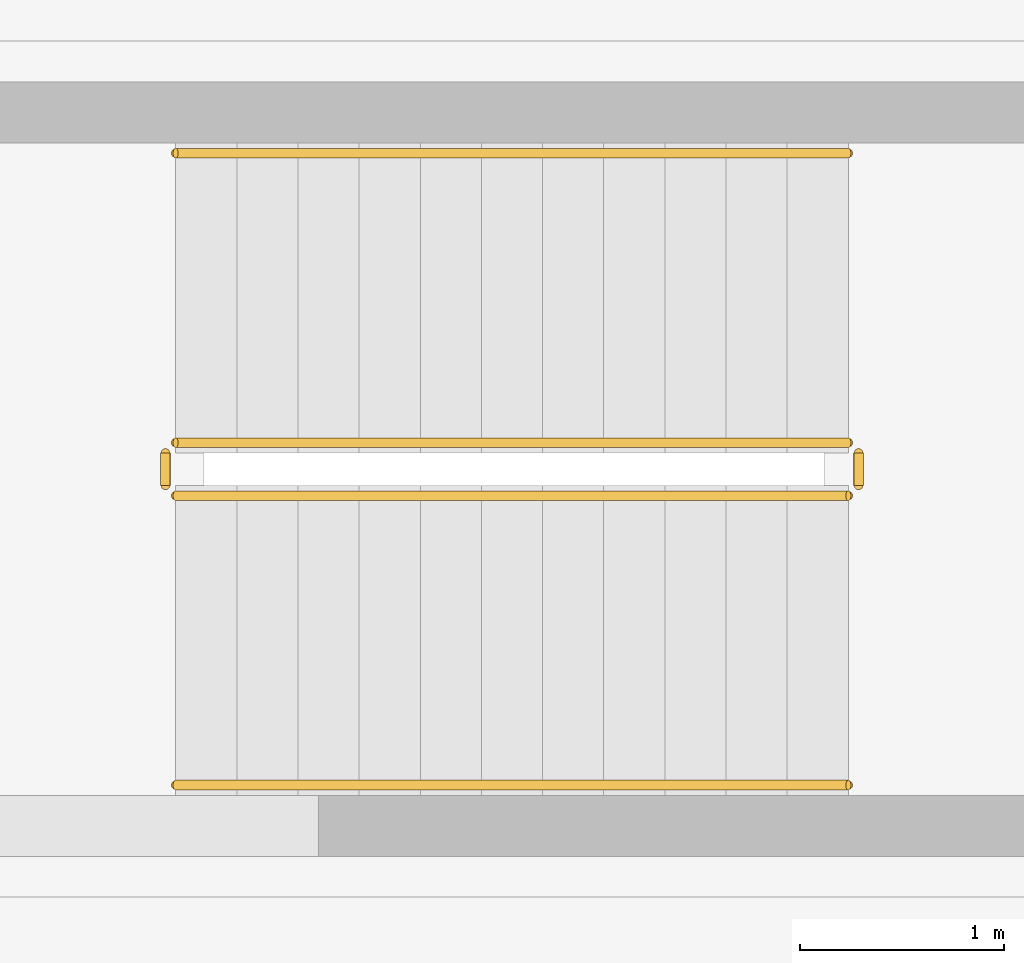
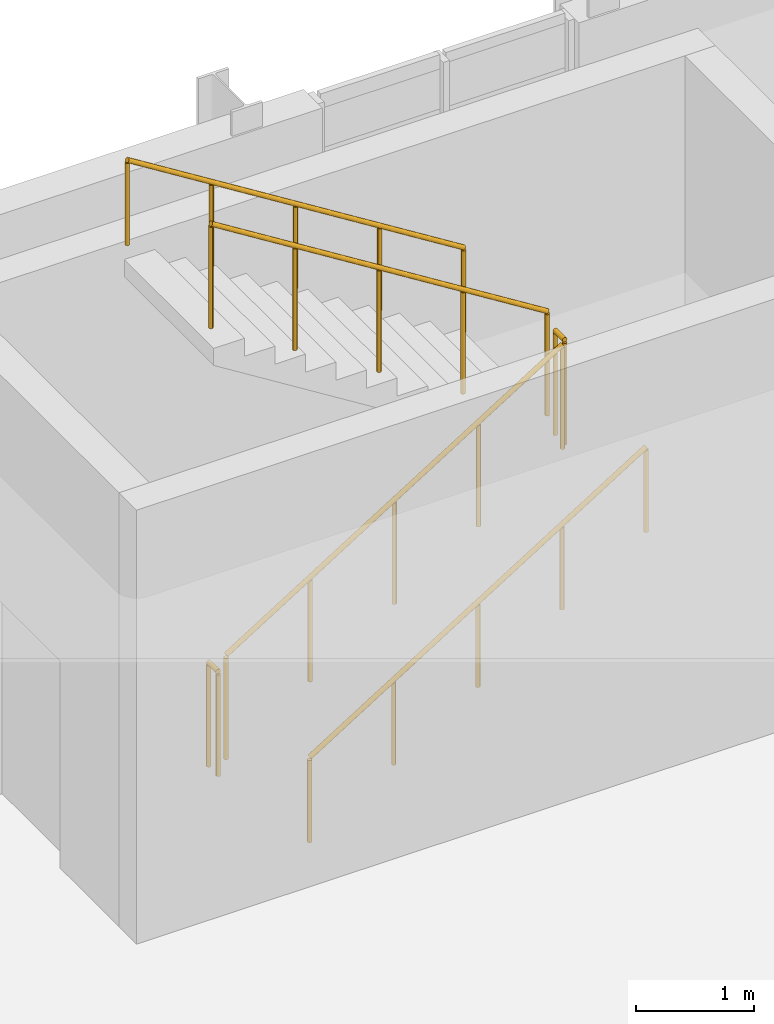
# One storey, part 92 of 100: 6 railings.
"""IFC4 building model written with IfcOpenShell, lengths in metres."""

from ifc_helpers import new_model, si_unit, direction, frame, origin, origin_2d, place, context, subcontext, project, spatial, circle, extrude, material, type_object, element, save


model = new_model("IFC4")

# Units and contexts
model_context = context("Model", 3, precision=1e-05, world=origin(), true_north=direction((0.0, 1.0)))
body_context = subcontext(model_context, "Body", "Model", "MODEL_VIEW")
ifc_project = project(units=[si_unit("LENGTHUNIT", "METRE"), si_unit("AREAUNIT", "SQUARE_METRE"), si_unit("VOLUMEUNIT", "CUBIC_METRE"), si_unit("PLANEANGLEUNIT", "RADIAN"), si_unit("MASSUNIT", "GRAM", prefix="KILO")], contexts=[model_context])

# Site, building, storey
site_placement = place(None, origin())
site = spatial("IfcSite", under=ifc_project, at=site_placement, CompositionType="ELEMENT")
building_placement = place(site_placement, origin())
building = spatial("IfcBuilding", under=site, at=building_placement, Name="Cymarion Research Institute", CompositionType="ELEMENT")
storey_placement = place(building_placement, frame((0.0, 0.0, 4.800048828125)))
storey = spatial("IfcBuildingStorey", under=building, at=storey_placement, Name="L01", CompositionType="ELEMENT", Elevation=4.800048828125)

# Railings
ifc_material = material(Name="Steel S355", Category="steel")
railing_type_1 = type_object("IfcRailingType", Name="PAINTED STEEL STAIR GUARDRAIL GR1 1100MM", PredefinedType="GUARDRAIL", material=ifc_material)
railing_1_placement = place(storey_placement, frame((89.199951171875, 38.27001953125, 0.1875)))
element("IfcRailing", 1, at=railing_1_placement, inside=storey, type_object=railing_type_1, Name="L01 ST4 stair guard 1", PredefinedType="GUARDRAIL", context=body_context, shape_type="SweptSolid", body=[
    extrude(circle(Radius=0.02392578125, at=origin_2d()), frame((0.0, 0.0, 1.076171875), z_axis=(0.848001828478, 0.0, 0.529993300805), x_axis=(0.0, 1.0, 0.0)), (0.0, 0.0, 1.0), 3.8916015625),
    extrude(circle(Radius=0.02099609375, at=origin_2d()), origin(), (0.0, 0.0, 1.0), 1.052001953125),
    extrude(circle(Radius=0.02099609375, at=origin_2d()), frame((0.824951171875, 0.0, 0.515625)), (0.0, 0.0, 1.0), 1.052001953125),
    extrude(circle(Radius=0.02099609375, at=origin_2d()), frame((1.64990234375, 0.0, 1.03125)), (0.0, 0.0, 1.0), 1.052001953125),
    extrude(circle(Radius=0.02099609375, at=origin_2d()), frame((2.47509765625, 0.0, 1.546875)), (0.0, 0.0, 1.0), 1.052001953125),
    extrude(circle(Radius=0.02099609375, at=origin_2d()), frame((3.300048828125, 0.0, 2.0625)), (0.0, 0.0, 1.0), 1.052001953125),
])
railing_2_placement = place(storey_placement, frame((92.550048828125, 38.320068359375, 2.25)))
element("IfcRailing", 2, at=railing_2_placement, inside=storey, type_object=railing_type_1, Name="L01 ST4 stair guard 2", PredefinedType="GUARDRAIL", context=body_context, shape_type="SweptSolid", body=[
    extrude(circle(Radius=0.02392578125, at=origin_2d()), frame((0.0, 0.0, 1.076171875), z_axis=(0.0, 1.0, 0.0), x_axis=(-1.0, 0.0, 0.0)), (0.0, 0.0, 1.0), 0.159912109375),
    extrude(circle(Radius=0.02099609375, at=origin_2d()), origin(), (0.0, 0.0, 1.0), 1.052001953125),
    extrude(circle(Radius=0.02099609375, at=origin_2d()), frame((0.0, 0.159912109375, 0.0)), (0.0, 0.0, 1.0), 1.052001953125),
])
railing_3_placement = place(storey_placement, frame((92.5, 38.530029296875, 2.4375)))
element("IfcRailing", 3, at=railing_3_placement, inside=storey, type_object=railing_type_1, Name="L01 ST4 stair guard 3", PredefinedType="GUARDRAIL", context=body_context, shape_type="SweptSolid", body=[
    extrude(circle(Radius=0.02392578125, at=origin_2d()), frame((0.0, 0.0, 1.076171875), z_axis=(-0.848001828478, 0.0, 0.529993300805), x_axis=(0.0, -1.0, 0.0)), (0.0, 0.0, 1.0), 3.8916015625),
    extrude(circle(Radius=0.02099609375, at=origin_2d()), origin(), (0.0, 0.0, 1.0), 1.052001953125),
    extrude(circle(Radius=0.02099609375, at=origin_2d()), frame((-0.824951171875, 0.0, 0.515625)), (0.0, 0.0, 1.0), 1.052001953125),
    extrude(circle(Radius=0.02099609375, at=origin_2d()), frame((-1.64990234375, 0.0, 1.03125)), (0.0, 0.0, 1.0), 1.052001953125),
    extrude(circle(Radius=0.02099609375, at=origin_2d()), frame((-2.47509765625, 0.0, 1.546875)), (0.0, 0.0, 1.0), 1.052001953125),
    extrude(circle(Radius=0.02099609375, at=origin_2d()), frame((-3.300048828125, 0.0, 2.0625)), (0.0, 0.0, 1.0), 1.052001953125),
])
railing_4_placement = place(storey_placement, frame((89.14990234375, 38.320068359375, 0.0)))
element("IfcRailing", 4, at=railing_4_placement, inside=storey, type_object=railing_type_1, Name="L01 ST4 stair guard 4", PredefinedType="GUARDRAIL", context=body_context, shape_type="SweptSolid", body=[
    extrude(circle(Radius=0.02392578125, at=origin_2d()), frame((0.0, 0.0, 1.076171875), z_axis=(0.0, 1.0, 0.0), x_axis=(-1.0, 0.0, 0.0)), (0.0, 0.0, 1.0), 0.159912109375),
    extrude(circle(Radius=0.02099609375, at=origin_2d()), origin(), (0.0, 0.0, 1.0), 1.052001953125),
    extrude(circle(Radius=0.02099609375, at=origin_2d()), frame((0.0, 0.159912109375, 0.0)), (0.0, 0.0, 1.0), 1.052001953125),
])
railing_type_2 = type_object("IfcRailingType", Name="STAINLESS STEEL STAIR HANDRAIL HR1 900MM", PredefinedType="HANDRAIL", material=ifc_material)
railing_5_placement = place(storey_placement, frame((89.199951171875, 36.85009765625, 0.1875)))
element("IfcRailing", 5, at=railing_5_placement, inside=storey, type_object=railing_type_2, Name="L01 ST4 stair handrail 1", PredefinedType="HANDRAIL", context=body_context, shape_type="SweptSolid", body=[
    extrude(circle(Radius=0.02392578125, at=origin_2d()), frame((0.0, 0.0, 0.8759765625), z_axis=(0.848001828478, 0.0, 0.529993300805), x_axis=(0.0, 1.0, 0.0)), (0.0, 0.0, 1.0), 3.8916015625),
    extrude(circle(Radius=0.02099609375, at=origin_2d()), origin(), (0.0, 0.0, 1.0), 0.851806640625),
    extrude(circle(Radius=0.02099609375, at=origin_2d()), frame((0.824951171875, 0.0, 0.515625)), (0.0, 0.0, 1.0), 0.851806640625),
    extrude(circle(Radius=0.02099609375, at=origin_2d()), frame((1.64990234375, 0.0, 1.03125)), (0.0, 0.0, 1.0), 0.851806640625),
    extrude(circle(Radius=0.02099609375, at=origin_2d()), frame((2.47509765625, 0.0, 1.546875)), (0.0, 0.0, 1.0), 0.851806640625),
    extrude(circle(Radius=0.02099609375, at=origin_2d()), frame((3.300048828125, 0.0, 2.0625)), (0.0, 0.0, 1.0), 0.851806640625),
])
railing_6_placement = place(storey_placement, frame((92.5, 39.949951171875, 2.4375)))
element("IfcRailing", 6, at=railing_6_placement, inside=storey, type_object=railing_type_2, Name="L01 ST4 stair handrail 2", PredefinedType="HANDRAIL", context=body_context, shape_type="SweptSolid", body=[
    extrude(circle(Radius=0.02392578125, at=origin_2d()), frame((0.0, 0.0, 0.8759765625), z_axis=(-0.848001828478, 0.0, 0.529993300805), x_axis=(0.0, -1.0, 0.0)), (0.0, 0.0, 1.0), 3.8916015625),
    extrude(circle(Radius=0.02099609375, at=origin_2d()), origin(), (0.0, 0.0, 1.0), 0.851806640625),
    extrude(circle(Radius=0.02099609375, at=origin_2d()), frame((-0.824951171875, 0.0, 0.515625)), (0.0, 0.0, 1.0), 0.851806640625),
    extrude(circle(Radius=0.02099609375, at=origin_2d()), frame((-1.64990234375, 0.0, 1.03125)), (0.0, 0.0, 1.0), 0.851806640625),
    extrude(circle(Radius=0.02099609375, at=origin_2d()), frame((-2.47509765625, 0.0, 1.546875)), (0.0, 0.0, 1.0), 0.851806640625),
    extrude(circle(Radius=0.02099609375, at=origin_2d()), frame((-3.300048828125, 0.0, 2.0625)), (0.0, 0.0, 1.0), 0.851806640625),
])

save(model, "model.ifc")
